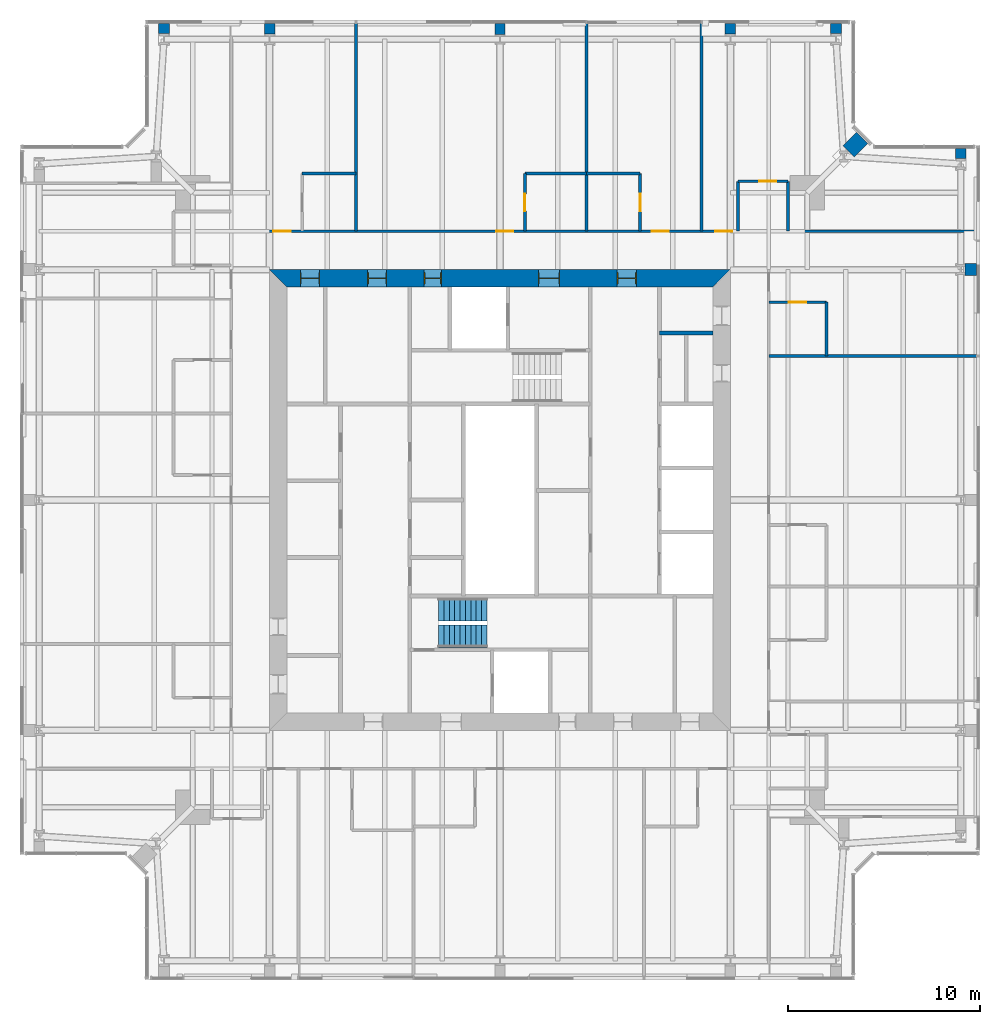
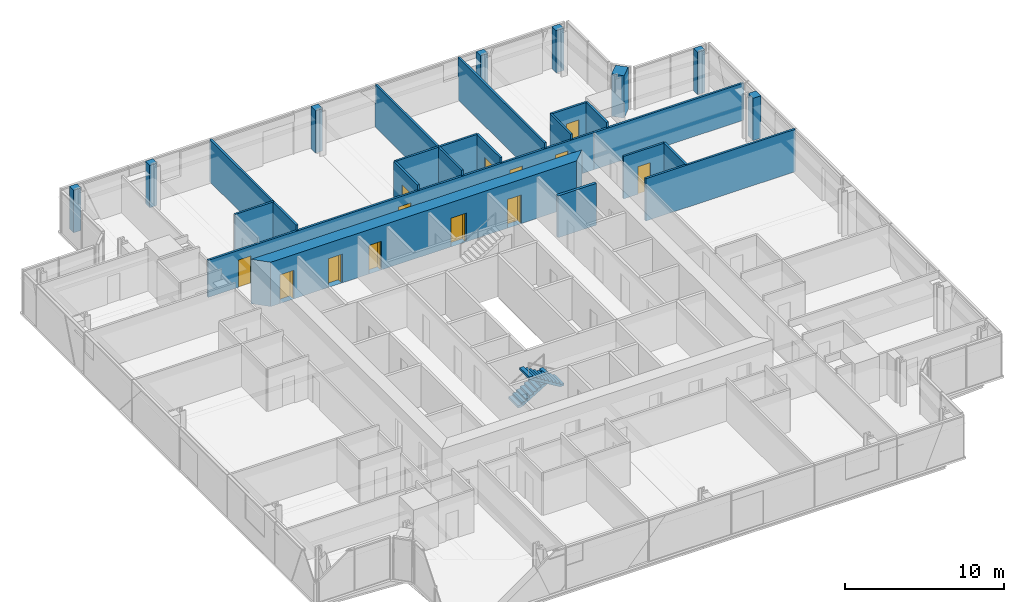
# One storey, part 15 of 19: 26 walls, 13 doors, 2 stair flights, 13 openings, 1 element without a shape of its own.
"""IFC4 building model written with IfcOpenShell, lengths in metres."""

from ifc_helpers import new_model, si_unit, direction, frame, frame_2d, origin, place, context, subcontext, project, spatial, polyline, rectangle, outline, extrude, material, layer, layer_set, type_object, element, fill, aggregate, save


model = new_model("IFC4")

# Units and contexts
model_context = context("Model", 3, precision=1e-05, world=origin(), true_north=direction((0.0, 1.0)))
body_context = subcontext(model_context, "Body", "Model", "MODEL_VIEW")
ifc_project = project(units=[si_unit("LENGTHUNIT", "METRE"), si_unit("AREAUNIT", "SQUARE_METRE"), si_unit("VOLUMEUNIT", "CUBIC_METRE"), si_unit("PLANEANGLEUNIT", "RADIAN"), si_unit("MASSUNIT", "GRAM", prefix="KILO")], contexts=[model_context])

# Site, building, storey
site_placement = place(None, origin())
site = spatial("IfcSite", under=ifc_project, at=site_placement, CompositionType="ELEMENT")
building_placement = place(site_placement, origin())
building = spatial("IfcBuilding", under=site, at=building_placement, Name="Fenwick Lantern Interchange", CompositionType="ELEMENT")
storey_placement = place(building_placement, frame((0.0, 0.0, 273.0)))
storey = spatial("IfcBuildingStorey", under=building, at=storey_placement, Name="L65", CompositionType="ELEMENT", Elevation=273.0)

# Walls
ifc_material_1 = material(Name="Fire-rated gypsum board encasement on steel studs, 2 hour", Category="steel")
ifc_layer_1 = layer(ifc_material_1, 0.52392578125)
ifc_layer_set_1 = layer_set([ifc_layer_1], Name="COLUMN PIER 524")
wall_type_1 = type_object("IfcWallType", Name="COLUMN PIER 524", PredefinedType="PARTITIONING", material=ifc_layer_set_1)
wall_1_placement = place(storey_placement, frame((25.0, 49.81005859375, 0.0), z_axis=(0.0, 0.0, 1.0), x_axis=(0.0, -1.0, 0.0)))
element("IfcWall", 1, at=wall_1_placement, inside=storey, type_object=wall_type_1, Name="L65/W/PIER/CN3", PredefinedType="PARTITIONING", context=body_context, shape_type="SweptSolid", body=[
    extrude(rectangle(XDim=0.572509765625, YDim=0.52392578125, at=frame_2d((0.2861328125, 0.0))), origin(), (0.0, 0.0, 1.0), 3.25),
])
ifc_layer_2 = layer(ifc_material_1, 0.5419921875)
ifc_layer_set_2 = layer_set([ifc_layer_2], Name="COLUMN PIER 542")
wall_type_2 = type_object("IfcWallType", Name="COLUMN PIER 542", PredefinedType="PARTITIONING", material=ifc_layer_set_2)
for number, where, z_axis, x_axis, name in (
    (2, (37.0, 49.81005859375, 0.0), (0.0, 0.0, 1.0), (0.0, -1.0, 0.0), "L65/W/PIER/CN2"),
    (3, (13.0, 49.81005859375, 0.0), (0.0, 0.0, 1.0), (0.0, -1.0, 0.0), "L65/W/PIER/CN4"),
):
    element("IfcWall", number, at=place(storey_placement, frame(where, z_axis=z_axis, x_axis=x_axis)), inside=storey, type_object=wall_type_2, Name=name, PredefinedType="PARTITIONING", context=body_context, shape_type="SweptSolid", body=[
        extrude(rectangle(XDim=0.544677734375, YDim=0.5419921875, at=frame_2d((0.2724609375, 0.0))), origin(), (0.0, 0.0, 1.0), 3.25),
    ])
ifc_layer_3 = layer(ifc_material_1, 0.554931640625)
ifc_layer_set_3 = layer_set([ifc_layer_3], Name="COLUMN PIER 555")
wall_type_3 = type_object("IfcWallType", Name="COLUMN PIER 555", PredefinedType="PARTITIONING", material=ifc_layer_set_3)
for number, where, z_axis, x_axis, name in (
    (4, (49.0, 43.31005859375, 0.0), (0.0, 0.0, 1.0), (0.0, -1.0, 0.0), "L65/W/PIER/CE5"),
    (5, (42.5, 49.81005859375, 0.0), (0.0, 0.0, 1.0), (0.0, -1.0, 0.0), "L65/W/PIER/CN1"),
    (6, (7.5, 49.81005859375, 0.0), (0.0, 0.0, 1.0), (0.0, -1.0, 0.0), "L65/W/PIER/CN5"),
):
    element("IfcWall", number, at=place(storey_placement, frame(where, z_axis=z_axis, x_axis=x_axis)), inside=storey, type_object=wall_type_3, Name=name, PredefinedType="PARTITIONING", context=body_context, shape_type="SweptSolid", body=[
        extrude(rectangle(XDim=0.525634765625, YDim=0.554931640625, at=frame_2d((0.2626953125, 0.0))), origin(), (0.0, 0.0, 1.0), 3.25),
    ])
ifc_layer_4 = layer(ifc_material_1, 0.631103515625)
ifc_layer_set_4 = layer_set([ifc_layer_4], Name="COLUMN PIER 631")
wall_type_4 = type_object("IfcWallType", Name="COLUMN PIER 631", PredefinedType="PARTITIONING", material=ifc_layer_set_4)
wall_2_placement = place(storey_placement, frame((49.81005859375, 37.0, 0.0), z_axis=(0.0, 0.0, 1.0), x_axis=(-1.0, 0.0, 0.0)))
element("IfcWall", 7, at=wall_2_placement, inside=storey, type_object=wall_type_4, Name="L65/W/PIER/CE4", PredefinedType="PARTITIONING", context=body_context, shape_type="SweptSolid", body=[
    extrude(rectangle(XDim=0.589111328125, YDim=0.631103515625, at=frame_2d((0.29443359375, 0.0))), origin(), (0.0, 0.0, 1.0), 3.25),
])
ifc_layer_5 = layer(ifc_material_1, 0.823974609375)
ifc_layer_set_5 = layer_set([ifc_layer_5], Name="COLUMN PIER 824")
wall_type_5 = type_object("IfcWallType", Name="COLUMN PIER 824", PredefinedType="PARTITIONING", material=ifc_layer_set_5)
wall_3_placement = place(storey_placement, frame((43.86572265625, 43.86572265625, 0.0), z_axis=(0.0, 0.0, 1.0), x_axis=(-0.707106781187, -0.707106781187, 0.0)))
element("IfcWall", 8, at=wall_3_placement, inside=storey, type_object=wall_type_5, Name="L65/W/PIER/CER", PredefinedType="PARTITIONING", context=body_context, shape_type="SweptSolid", body=[
    extrude(rectangle(XDim=1.003662109375, YDim=0.823974609375, at=frame_2d((0.501953125, 0.0))), origin(), (0.0, 0.0, 1.0), 3.25),
])
ifc_material_2 = material(Name="Concrete masonry ASTM C90 Grade N", Category="masonry")
ifc_layer_6 = layer(ifc_material_2, 0.199951171875)
ifc_layer_set_6 = layer_set([ifc_layer_6], Name="Concrete masonry ASTM C90 Grade N")
wall_type_6 = type_object("IfcWallType", Name="CORE PARTITION 200", PredefinedType="PARTITIONING", material=ifc_layer_set_6)
wall_4_placement = place(storey_placement, frame((36.10009765625, 33.699951171875, 0.0), z_axis=(0.0, 0.0, 1.0), x_axis=(-1.0, 0.0, 0.0)))
element("IfcWall", 9, at=wall_4_placement, inside=storey, type_object=wall_type_6, Name="L65/W/COREN/p1", PredefinedType="PARTITIONING", context=body_context, shape_type="SweptSolid", body=[
    extrude(rectangle(XDim=2.800048828125, YDim=0.199951171875, at=frame_2d((1.39990234375, 0.0))), origin(), (0.0, 0.0, 1.0), 3.199951171875),
])

# Wall, openings, doors
ifc_material_3 = material(Name="Concrete f'c 70 MPa", Category="concrete")
ifc_layer_7 = layer(ifc_material_3, 0.89990234375)
ifc_layer_set_7 = layer_set([ifc_layer_7], Name="CORE WALL 900")
wall_type_7 = type_object("IfcWallType", Name="CORE WALL 900", PredefinedType="SHEAR", material=ifc_layer_set_7)
wall_5_placement = place(storey_placement, frame((37.0, 36.550048828125, 0.0), z_axis=(0.0, 0.0, 1.0), x_axis=(-1.0, 0.0, 0.0)))
wall_5 = element("IfcWall", 10, at=wall_5_placement, inside=storey, type_object=wall_type_7, Name="L65/CORE/N", PredefinedType="SHEAR", context=body_context, shape_type="SweptSolid", body=[
    extrude(outline(polyline([(0.0, -0.449951171875), (24.0, -0.449951171875), (23.10009765625, 0.449951171875), (0.89990234375, 0.449951171875), (0.0, -0.449951171875)])), origin(), (0.0, 0.0, 1.0), 3.39990234375),
])
opening_1_placement = place(wall_5_placement, frame((4.89990234375, 0.0, 0.0)))
opening_1 = element("IfcOpeningElement", 11, at=opening_1_placement, cuts=wall_5, Name="Opening L65-D014", PredefinedType="OPENING", context=body_context, shape_type="SweptSolid", body=[
    extrude(rectangle(XDim=1.0, YDim=2.199951171875, at=frame_2d((0.5, 1.10009765625))), frame((0.0, 0.4599609375, 0.0), z_axis=(0.0, -1.0, 0.0), x_axis=(1.0, 0.0, 0.0)), (0.0, 0.0, 1.0), 0.919921875),
])
opening_2_placement = place(wall_5_placement, frame((8.89990234375, 0.0, 0.0)))
opening_2 = element("IfcOpeningElement", 12, at=opening_2_placement, cuts=wall_5, Name="Opening L65-D015", PredefinedType="OPENING", context=body_context, shape_type="SweptSolid", body=[
    extrude(rectangle(XDim=1.10009765625, YDim=2.199951171875, at=frame_2d((0.550048828125, 1.10009765625))), frame((0.0, 0.4599609375, 0.0), z_axis=(0.0, -1.0, 0.0), x_axis=(1.0, 0.0, 0.0)), (0.0, 0.0, 1.0), 0.919921875),
])
opening_3_placement = place(wall_5_placement, frame((15.050048828125, 0.0, 0.0)))
opening_3 = element("IfcOpeningElement", 13, at=opening_3_placement, cuts=wall_5, Name="Opening L65-D017", PredefinedType="OPENING", context=body_context, shape_type="SweptSolid", body=[
    extrude(rectangle(XDim=0.89990234375, YDim=2.199951171875, at=frame_2d((0.449951171875, 1.10009765625))), frame((0.0, 0.4599609375, 0.0), z_axis=(0.0, -1.0, 0.0), x_axis=(1.0, 0.0, 0.0)), (0.0, 0.0, 1.0), 0.919921875),
])
opening_4_placement = place(wall_5_placement, frame((17.89990234375, 0.0, 0.0)))
opening_4 = element("IfcOpeningElement", 14, at=opening_4_placement, cuts=wall_5, Name="Opening L65-D018", PredefinedType="OPENING", context=body_context, shape_type="SweptSolid", body=[
    extrude(rectangle(XDim=1.0, YDim=2.199951171875, at=frame_2d((0.5, 1.10009765625))), frame((0.0, 0.4599609375, 0.0), z_axis=(0.0, -1.0, 0.0), x_axis=(1.0, 0.0, 0.0)), (0.0, 0.0, 1.0), 0.919921875),
])
opening_5_placement = place(wall_5_placement, frame((21.39990234375, 0.0, 0.0)))
opening_5 = element("IfcOpeningElement", 15, at=opening_5_placement, cuts=wall_5, Name="Opening L65-D019", PredefinedType="OPENING", context=body_context, shape_type="SweptSolid", body=[
    extrude(rectangle(XDim=1.0, YDim=2.199951171875, at=frame_2d((0.5, 1.10009765625))), frame((0.0, 0.4599609375, 0.0), z_axis=(0.0, -1.0, 0.0), x_axis=(1.0, 0.0, 0.0)), (0.0, 0.0, 1.0), 0.919921875),
])
ifc_material_4 = material(Name="Steel door and frame", Category="steel")
door_type_1 = type_object("IfcDoorType", Name="CORE LOBBY DOOR 1000 X 2200", OperationType="SINGLE_SWING_LEFT", PredefinedType="DOOR", material=ifc_material_4)
door_1_placement = place(opening_1_placement, origin())
door_1 = element("IfcDoor", 16, at=door_1_placement, inside=storey, type_object=door_type_1, Name="Core lobby door", OperationType="SINGLE_SWING_LEFT", OverallHeight=2.199951171875, OverallWidth=1.0, PredefinedType="DOOR", context=body_context, shape_type="SweptSolid", body=[
    extrude(rectangle(XDim=1.0, YDim=2.199951171875, at=frame_2d((0.5, 1.10009765625))), frame((0.0, 0.02490234375, 0.0), z_axis=(0.0, -1.0, 0.0), x_axis=(1.0, 0.0, 0.0)), (0.0, 0.0, 1.0), 0.050048828125),
    extrude(outline(polyline([(0.0, 0.0), (0.0400390625, 0.0), (0.0400390625, 2.159912109375), (0.9599609375, 2.159912109375), (0.9599609375, 0.0), (1.0, 0.0), (1.0, 2.199951171875), (0.0, 2.199951171875), (0.0, 0.0)])), frame((0.0, 0.300048828125, 0.0), z_axis=(0.0, -1.0, 0.0), x_axis=(1.0, 0.0, 0.0)), (0.0, 0.0, 1.0), 0.60009765625),
])
fill(opening_1, door_1)
door_type_2 = type_object("IfcDoorType", Name="FIRE LOBBY DOOR 1100 X 2200", OperationType="SINGLE_SWING_LEFT", PredefinedType="DOOR", material=ifc_material_4)
door_2_placement = place(opening_2_placement, origin())
door_2 = element("IfcDoor", 17, at=door_2_placement, inside=storey, type_object=door_type_2, Name="Fire lobby door", OperationType="SINGLE_SWING_LEFT", OverallHeight=2.199951171875, OverallWidth=1.10009765625, PredefinedType="DOOR", context=body_context, shape_type="SweptSolid", body=[
    extrude(rectangle(XDim=1.10009765625, YDim=2.199951171875, at=frame_2d((0.550048828125, 1.10009765625))), frame((0.0, 0.02490234375, 0.0), z_axis=(0.0, -1.0, 0.0), x_axis=(1.0, 0.0, 0.0)), (0.0, 0.0, 1.0), 0.050048828125),
    extrude(outline(polyline([(0.0, 0.0), (0.0400390625, 0.0), (0.0400390625, 2.159912109375), (1.06005859375, 2.159912109375), (1.06005859375, 0.0), (1.10009765625, 0.0), (1.10009765625, 2.199951171875), (0.0, 2.199951171875), (0.0, 0.0)])), frame((0.0, 0.300048828125, 0.0), z_axis=(0.0, -1.0, 0.0), x_axis=(1.0, 0.0, 0.0)), (0.0, 0.0, 1.0), 0.60009765625),
])
fill(opening_2, door_2)
door_type_3 = type_object("IfcDoorType", Name="SERVICE DOOR 900 X 2200", OperationType="SINGLE_SWING_LEFT", PredefinedType="DOOR", material=ifc_material_4)
door_3_placement = place(opening_3_placement, origin())
door_3 = element("IfcDoor", 18, at=door_3_placement, inside=storey, type_object=door_type_3, Name="Service door", OperationType="SINGLE_SWING_LEFT", OverallHeight=2.199951171875, OverallWidth=0.89990234375, PredefinedType="DOOR", context=body_context, shape_type="SweptSolid", body=[
    extrude(rectangle(XDim=0.89990234375, YDim=2.199951171875, at=frame_2d((0.449951171875, 1.10009765625))), frame((0.0, 0.02490234375, 0.0), z_axis=(0.0, -1.0, 0.0), x_axis=(1.0, 0.0, 0.0)), (0.0, 0.0, 1.0), 0.050048828125),
    extrude(outline(polyline([(0.0, 0.0), (0.0400390625, 0.0), (0.0400390625, 2.159912109375), (0.85986328125, 2.159912109375), (0.85986328125, 0.0), (0.89990234375, 0.0), (0.89990234375, 2.199951171875), (0.0, 2.199951171875), (0.0, 0.0)])), frame((0.0, 0.300048828125, 0.0), z_axis=(0.0, -1.0, 0.0), x_axis=(1.0, 0.0, 0.0)), (0.0, 0.0, 1.0), 0.60009765625),
])
fill(opening_3, door_3)
ifc_material_5 = material(Name="Hardwood door and steel frame", Category="steel")
door_type_4 = type_object("IfcDoorType", Name="WC DOOR 1000 X 2200", OperationType="SINGLE_SWING_LEFT", PredefinedType="DOOR", material=ifc_material_5)
door_4_placement = place(opening_4_placement, origin())
door_4 = element("IfcDoor", 19, at=door_4_placement, inside=storey, type_object=door_type_4, Name="Wc door", OperationType="SINGLE_SWING_LEFT", OverallHeight=2.199951171875, OverallWidth=1.0, PredefinedType="DOOR", context=body_context, shape_type="SweptSolid", body=[
    extrude(rectangle(XDim=1.0, YDim=2.199951171875, at=frame_2d((0.5, 1.10009765625))), frame((0.0, 0.02490234375, 0.0), z_axis=(0.0, -1.0, 0.0), x_axis=(1.0, 0.0, 0.0)), (0.0, 0.0, 1.0), 0.050048828125),
    extrude(outline(polyline([(0.0, 0.0), (0.0400390625, 0.0), (0.0400390625, 2.159912109375), (0.9599609375, 2.159912109375), (0.9599609375, 0.0), (1.0, 0.0), (1.0, 2.199951171875), (0.0, 2.199951171875), (0.0, 0.0)])), frame((0.0, 0.300048828125, 0.0), z_axis=(0.0, -1.0, 0.0), x_axis=(1.0, 0.0, 0.0)), (0.0, 0.0, 1.0), 0.60009765625),
])
fill(opening_4, door_4)
door_5_placement = place(opening_5_placement, origin())
door_5 = element("IfcDoor", 20, at=door_5_placement, inside=storey, type_object=door_type_4, Name="Wc door", OperationType="SINGLE_SWING_LEFT", OverallHeight=2.199951171875, OverallWidth=1.0, PredefinedType="DOOR", context=body_context, shape_type="SweptSolid", body=[
    extrude(rectangle(XDim=1.0, YDim=2.199951171875, at=frame_2d((0.5, 1.10009765625))), frame((0.0, 0.02490234375, 0.0), z_axis=(0.0, -1.0, 0.0), x_axis=(1.0, 0.0, 0.0)), (0.0, 0.0, 1.0), 0.050048828125),
    extrude(outline(polyline([(0.0, 0.0), (0.0400390625, 0.0), (0.0400390625, 2.159912109375), (0.9599609375, 2.159912109375), (0.9599609375, 0.0), (1.0, 0.0), (1.0, 2.199951171875), (0.0, 2.199951171875), (0.0, 0.0)])), frame((0.0, 0.300048828125, 0.0), z_axis=(0.0, -1.0, 0.0), x_axis=(1.0, 0.0, 0.0)), (0.0, 0.0, 1.0), 0.60009765625),
])
fill(opening_5, door_5)

ifc_material_6 = material(Name="Gypsum board on steel studs, 1 hour", Category="steel")
ifc_layer_8 = layer(ifc_material_6, 0.14990234375)
ifc_layer_set_8 = layer_set([ifc_layer_8], Name="CORRIDOR WALL 150")
wall_type_8 = type_object("IfcWallType", Name="CORRIDOR WALL 150", PredefinedType="PARTITIONING", material=ifc_layer_set_8)
wall_6_placement = place(storey_placement, frame((39.0, 39.0, 0.0), z_axis=(0.0, 0.0, 1.0), x_axis=(-1.0, 0.0, 0.0)))
wall_6 = element("IfcWall", 21, at=wall_6_placement, inside=storey, type_object=wall_type_8, Name="L65/W/HOTEL/N/CW", PredefinedType="PARTITIONING", context=body_context, shape_type="SweptSolid", body=[
    extrude(rectangle(XDim=28.0, YDim=0.14990234375, at=frame_2d((14.0, 0.0))), origin(), (0.0, 0.0, 1.0), 2.843505859375),
])
opening_6_placement = place(wall_6_placement, frame((1.89990234375, 0.0, 0.0)))
opening_6 = element("IfcOpeningElement", 22, at=opening_6_placement, cuts=wall_6, Name="Opening L65-D042", PredefinedType="OPENING", context=body_context, shape_type="SweptSolid", body=[
    extrude(rectangle(XDim=0.89990234375, YDim=2.10009765625, at=frame_2d((0.449951171875, 1.050048828125))), frame((0.0, 0.0849609375, 0.0), z_axis=(0.0, -1.0, 0.0), x_axis=(1.0, 0.0, 0.0)), (0.0, 0.0, 1.0), 0.169921875),
])
opening_7_placement = place(wall_6_placement, frame((5.199951171875, 0.0, 0.0)))
opening_7 = element("IfcOpeningElement", 23, at=opening_7_placement, cuts=wall_6, Name="Opening L65-D045", PredefinedType="OPENING", context=body_context, shape_type="SweptSolid", body=[
    extrude(rectangle(XDim=0.89990234375, YDim=2.10009765625, at=frame_2d((0.449951171875, 1.050048828125))), frame((0.0, 0.0849609375, 0.0), z_axis=(0.0, -1.0, 0.0), x_axis=(1.0, 0.0, 0.0)), (0.0, 0.0, 1.0), 0.169921875),
])
opening_8_placement = place(wall_6_placement, frame((13.300048828125, 0.0, 0.0)))
opening_8 = element("IfcOpeningElement", 24, at=opening_8_placement, cuts=wall_6, Name="Opening L65-D047", PredefinedType="OPENING", context=body_context, shape_type="SweptSolid", body=[
    extrude(rectangle(XDim=0.89990234375, YDim=2.10009765625, at=frame_2d((0.449951171875, 1.050048828125))), frame((0.0, 0.0849609375, 0.0), z_axis=(0.0, -1.0, 0.0), x_axis=(1.0, 0.0, 0.0)), (0.0, 0.0, 1.0), 0.169921875),
])
opening_9_placement = place(wall_6_placement, frame((24.89990234375, 0.0, 0.0)))
opening_9 = element("IfcOpeningElement", 25, at=opening_9_placement, cuts=wall_6, Name="Opening L65-D049", PredefinedType="OPENING", context=body_context, shape_type="SweptSolid", body=[
    extrude(rectangle(XDim=0.89990234375, YDim=2.10009765625, at=frame_2d((0.449951171875, 1.050048828125))), frame((0.0, 0.0849609375, 0.0), z_axis=(0.0, -1.0, 0.0), x_axis=(1.0, 0.0, 0.0)), (0.0, 0.0, 1.0), 0.169921875),
])
door_type_5 = type_object("IfcDoorType", Name="GUEST ROOM DOOR 900 X 2100", OperationType="SINGLE_SWING_LEFT", PredefinedType="DOOR", material=ifc_material_4)
door_6_placement = place(opening_6_placement, frame((0.89990234375, 0.0, 0.0), z_axis=(0.0, 0.0, 1.0), x_axis=(-1.0, 0.0, 0.0)))
door_6 = element("IfcDoor", 26, at=door_6_placement, inside=storey, type_object=door_type_5, Name="Guest room door", OperationType="SINGLE_SWING_RIGHT", OverallHeight=2.10009765625, OverallWidth=0.89990234375, PredefinedType="DOOR", context=body_context, shape_type="SweptSolid", body=[
    extrude(rectangle(XDim=0.89990234375, YDim=2.10009765625, at=frame_2d((0.449951171875, 1.050048828125))), frame((0.0, 0.02490234375, 0.0), z_axis=(0.0, -1.0, 0.0), x_axis=(1.0, 0.0, 0.0)), (0.0, 0.0, 1.0), 0.050048828125),
])
fill(opening_6, door_6)
door_7_placement = place(opening_7_placement, frame((0.89990234375, 0.0, 0.0), z_axis=(0.0, 0.0, 1.0), x_axis=(-1.0, 0.0, 0.0)))
door_7 = element("IfcDoor", 27, at=door_7_placement, inside=storey, type_object=door_type_5, Name="Guest room door", OperationType="SINGLE_SWING_LEFT", OverallHeight=2.10009765625, OverallWidth=0.89990234375, PredefinedType="DOOR", context=body_context, shape_type="SweptSolid", body=[
    extrude(rectangle(XDim=0.89990234375, YDim=2.10009765625, at=frame_2d((0.449951171875, 1.050048828125))), frame((0.0, 0.02490234375, 0.0), z_axis=(0.0, -1.0, 0.0), x_axis=(1.0, 0.0, 0.0)), (0.0, 0.0, 1.0), 0.050048828125),
])
fill(opening_7, door_7)
door_8_placement = place(opening_8_placement, frame((0.89990234375, 0.0, 0.0), z_axis=(0.0, 0.0, 1.0), x_axis=(-1.0, 0.0, 0.0)))
door_8 = element("IfcDoor", 28, at=door_8_placement, inside=storey, type_object=door_type_5, Name="Guest room door", OperationType="SINGLE_SWING_RIGHT", OverallHeight=2.10009765625, OverallWidth=0.89990234375, PredefinedType="DOOR", context=body_context, shape_type="SweptSolid", body=[
    extrude(rectangle(XDim=0.89990234375, YDim=2.10009765625, at=frame_2d((0.449951171875, 1.050048828125))), frame((0.0, 0.02490234375, 0.0), z_axis=(0.0, -1.0, 0.0), x_axis=(1.0, 0.0, 0.0)), (0.0, 0.0, 1.0), 0.050048828125),
])
fill(opening_8, door_8)
door_9_placement = place(opening_9_placement, frame((0.89990234375, 0.0, 0.0), z_axis=(0.0, 0.0, 1.0), x_axis=(-1.0, 0.0, 0.0)))
door_9 = element("IfcDoor", 29, at=door_9_placement, inside=storey, type_object=door_type_5, Name="Guest room door", OperationType="SINGLE_SWING_RIGHT", OverallHeight=2.10009765625, OverallWidth=0.89990234375, PredefinedType="DOOR", context=body_context, shape_type="SweptSolid", body=[
    extrude(rectangle(XDim=0.89990234375, YDim=2.10009765625, at=frame_2d((0.449951171875, 1.050048828125))), frame((0.0, 0.02490234375, 0.0), z_axis=(0.0, -1.0, 0.0), x_axis=(1.0, 0.0, 0.0)), (0.0, 0.0, 1.0), 0.050048828125),
])
fill(opening_9, door_9)

# Wall
ifc_material_7 = material(Name="Gypsum board on steel studs, moisture resistant", Category="steel")
ifc_layer_9 = layer(ifc_material_7, 0.14990234375)
ifc_layer_set_9 = layer_set([ifc_layer_9], Name="EN-SUITE WALL 150")
wall_type_9 = type_object("IfcWallType", Name="EN-SUITE WALL 150", PredefinedType="PARTITIONING", material=ifc_layer_set_9)
wall_7_placement = place(storey_placement, frame((42.0, 32.5, 0.0), z_axis=(0.0, 0.0, 1.0), x_axis=(0.0, 1.0, 0.0)))
element("IfcWall", 30, at=wall_7_placement, inside=storey, type_object=wall_type_9, Name="L65/W/HOTEL/E/U4BW", PredefinedType="PARTITIONING", context=body_context, shape_type="SweptSolid", body=[
    extrude(rectangle(XDim=2.800048828125, YDim=0.14990234375, at=frame_2d((1.39990234375, 0.0))), origin(), (0.0, 0.0, 1.0), 3.25),
])

# Wall, opening, door
wall_8_placement = place(storey_placement, frame((42.0, 35.300048828125, 0.0), z_axis=(0.0, 0.0, 1.0), x_axis=(-1.0, 0.0, 0.0)))
wall_8 = element("IfcWall", 31, at=wall_8_placement, inside=storey, type_object=wall_type_9, Name="L65/W/HOTEL/E/U4BX", PredefinedType="PARTITIONING", context=body_context, shape_type="SweptSolid", body=[
    extrude(rectangle(XDim=3.0, YDim=0.14990234375, at=frame_2d((1.5, 0.0))), origin(), (0.0, 0.0, 1.0), 3.25),
])
opening_10_placement = place(wall_8_placement, frame((1.050048828125, 0.0, 0.0)))
opening_10 = element("IfcOpeningElement", 32, at=opening_10_placement, cuts=wall_8, Name="Opening L65-D040", PredefinedType="OPENING", context=body_context, shape_type="SweptSolid", body=[
    extrude(rectangle(XDim=0.89990234375, YDim=2.10009765625, at=frame_2d((0.449951171875, 1.050048828125))), frame((0.0, 0.0849609375, 0.0), z_axis=(0.0, -1.0, 0.0), x_axis=(1.0, 0.0, 0.0)), (0.0, 0.0, 1.0), 0.169921875),
])
door_type_6 = type_object("IfcDoorType", Name="EN-SUITE DOOR 900 X 2100", OperationType="SINGLE_SWING_LEFT", PredefinedType="DOOR", material=ifc_material_5)
door_10_placement = place(opening_10_placement, origin())
door_10 = element("IfcDoor", 33, at=door_10_placement, inside=storey, type_object=door_type_6, Name="En-suite door", OperationType="SINGLE_SWING_LEFT", OverallHeight=2.10009765625, OverallWidth=0.89990234375, PredefinedType="DOOR", context=body_context, shape_type="SweptSolid", body=[
    extrude(rectangle(XDim=0.89990234375, YDim=2.10009765625, at=frame_2d((0.449951171875, 1.050048828125))), frame((0.0, 0.02490234375, 0.0), z_axis=(0.0, -1.0, 0.0), x_axis=(1.0, 0.0, 0.0)), (0.0, 0.0, 1.0), 0.050048828125),
])
fill(opening_10, door_10)

wall_9_placement = place(storey_placement, frame((40.0, 41.60009765625, 0.0), z_axis=(0.0, 0.0, 1.0), x_axis=(-1.0, 0.0, 0.0)))
wall_9 = element("IfcWall", 34, at=wall_9_placement, inside=storey, type_object=wall_type_9, Name="L65/W/HOTEL/N/U1BW", PredefinedType="PARTITIONING", context=body_context, shape_type="SweptSolid", body=[
    extrude(rectangle(XDim=2.60009765625, YDim=0.14990234375, at=frame_2d((1.300048828125, 0.0))), origin(), (0.0, 0.0, 1.0), 3.25),
])
opening_11_placement = place(wall_9_placement, frame((0.60009765625, 0.0, 0.0)))
opening_11 = element("IfcOpeningElement", 35, at=opening_11_placement, cuts=wall_9, Name="Opening L65-D043", PredefinedType="OPENING", context=body_context, shape_type="SweptSolid", body=[
    extrude(rectangle(XDim=0.89990234375, YDim=2.10009765625, at=frame_2d((0.449951171875, 1.050048828125))), frame((0.0, 0.0849609375, 0.0), z_axis=(0.0, -1.0, 0.0), x_axis=(1.0, 0.0, 0.0)), (0.0, 0.0, 1.0), 0.169921875),
])
door_11_placement = place(opening_11_placement, origin())
door_11 = element("IfcDoor", 36, at=door_11_placement, inside=storey, type_object=door_type_6, Name="En-suite door", OperationType="SINGLE_SWING_LEFT", OverallHeight=2.10009765625, OverallWidth=0.89990234375, PredefinedType="DOOR", context=body_context, shape_type="SweptSolid", body=[
    extrude(rectangle(XDim=0.89990234375, YDim=2.10009765625, at=frame_2d((0.449951171875, 1.050048828125))), frame((0.0, 0.02490234375, 0.0), z_axis=(0.0, -1.0, 0.0), x_axis=(1.0, 0.0, 0.0)), (0.0, 0.0, 1.0), 0.050048828125),
])
fill(opening_11, door_11)

# Walls
for number, where, z_axis, x_axis, name in (
    (37, (40.0, 41.60009765625, 0.0), (0.0, 0.0, 1.0), (0.0, -1.0, 0.0), "L65/W/HOTEL/N/U1BX"),
    (38, (37.39990234375, 41.60009765625, 0.0), (0.0, 0.0, 1.0), (0.0, -1.0, 0.0), "L65/W/HOTEL/N/U1BE"),
):
    element("IfcWall", number, at=place(storey_placement, frame(where, z_axis=z_axis, x_axis=x_axis)), inside=storey, type_object=wall_type_9, Name=name, PredefinedType="PARTITIONING", context=body_context, shape_type="SweptSolid", body=[
        extrude(rectangle(XDim=2.60009765625, YDim=0.14990234375, at=frame_2d((1.300048828125, 0.0))), origin(), (0.0, 0.0, 1.0), 3.25),
    ])
wall_10_placement = place(storey_placement, frame((32.300048828125, 42.0, 0.0), z_axis=(0.0, 0.0, 1.0), x_axis=(-1.0, 0.0, 0.0)))
element("IfcWall", 39, at=wall_10_placement, inside=storey, type_object=wall_type_9, Name="L65/W/HOTEL/N/U2BW", PredefinedType="PARTITIONING", context=body_context, shape_type="SweptSolid", body=[
    extrude(rectangle(XDim=2.800048828125, YDim=0.14990234375, at=frame_2d((1.39990234375, 0.0))), origin(), (0.0, 0.0, 1.0), 3.25),
])

# Wall, opening, door
wall_11_placement = place(storey_placement, frame((32.300048828125, 42.0, 0.0), z_axis=(0.0, 0.0, 1.0), x_axis=(0.0, -1.0, 0.0)))
wall_11 = element("IfcWall", 40, at=wall_11_placement, inside=storey, type_object=wall_type_9, Name="L65/W/HOTEL/N/U2BX", PredefinedType="PARTITIONING", context=body_context, shape_type="SweptSolid", body=[
    extrude(rectangle(XDim=3.0, YDim=0.14990234375, at=frame_2d((1.5, 0.0))), origin(), (0.0, 0.0, 1.0), 3.25),
])
opening_12_placement = place(wall_11_placement, frame((1.050048828125, 0.0, 0.0)))
opening_12 = element("IfcOpeningElement", 41, at=opening_12_placement, cuts=wall_11, Name="Opening L65-D044", PredefinedType="OPENING", context=body_context, shape_type="SweptSolid", body=[
    extrude(rectangle(XDim=0.89990234375, YDim=2.10009765625, at=frame_2d((0.449951171875, 1.050048828125))), frame((0.0, 0.0849609375, 0.0), z_axis=(0.0, -1.0, 0.0), x_axis=(1.0, 0.0, 0.0)), (0.0, 0.0, 1.0), 0.169921875),
])
door_12_placement = place(opening_12_placement, frame((0.89990234375, 0.0, 0.0), z_axis=(0.0, 0.0, 1.0), x_axis=(-1.0, 0.0, 0.0)))
door_12 = element("IfcDoor", 42, at=door_12_placement, inside=storey, type_object=door_type_6, Name="En-suite door", OperationType="SINGLE_SWING_RIGHT", OverallHeight=2.10009765625, OverallWidth=0.89990234375, PredefinedType="DOOR", context=body_context, shape_type="SweptSolid", body=[
    extrude(rectangle(XDim=0.89990234375, YDim=2.10009765625, at=frame_2d((0.449951171875, 1.050048828125))), frame((0.0, 0.02490234375, 0.0), z_axis=(0.0, -1.0, 0.0), x_axis=(1.0, 0.0, 0.0)), (0.0, 0.0, 1.0), 0.050048828125),
])
fill(opening_12, door_12)

# Wall
wall_12_placement = place(storey_placement, frame((29.5, 42.0, 0.0), z_axis=(0.0, 0.0, 1.0), x_axis=(-1.0, 0.0, 0.0)))
element("IfcWall", 43, at=wall_12_placement, inside=storey, type_object=wall_type_9, Name="L65/W/HOTEL/N/U3BW", PredefinedType="PARTITIONING", context=body_context, shape_type="SweptSolid", body=[
    extrude(rectangle(XDim=3.199951171875, YDim=0.14990234375, at=frame_2d((1.60009765625, 0.0))), origin(), (0.0, 0.0, 1.0), 3.25),
])

# Wall, opening, door
wall_13_placement = place(storey_placement, frame((26.300048828125, 42.0, 0.0), z_axis=(0.0, 0.0, 1.0), x_axis=(0.0, -1.0, 0.0)))
wall_13 = element("IfcWall", 44, at=wall_13_placement, inside=storey, type_object=wall_type_9, Name="L65/W/HOTEL/N/U3BX", PredefinedType="PARTITIONING", context=body_context, shape_type="SweptSolid", body=[
    extrude(rectangle(XDim=3.0, YDim=0.14990234375, at=frame_2d((1.5, 0.0))), origin(), (0.0, 0.0, 1.0), 3.25),
])
opening_13_placement = place(wall_13_placement, frame((1.050048828125, 0.0, 0.0)))
opening_13 = element("IfcOpeningElement", 45, at=opening_13_placement, cuts=wall_13, Name="Opening L65-D046", PredefinedType="OPENING", context=body_context, shape_type="SweptSolid", body=[
    extrude(rectangle(XDim=0.89990234375, YDim=2.10009765625, at=frame_2d((0.449951171875, 1.050048828125))), frame((0.0, 0.0849609375, 0.0), z_axis=(0.0, -1.0, 0.0), x_axis=(1.0, 0.0, 0.0)), (0.0, 0.0, 1.0), 0.169921875),
])
door_13_placement = place(opening_13_placement, origin())
door_13 = element("IfcDoor", 46, at=door_13_placement, inside=storey, type_object=door_type_6, Name="En-suite door", OperationType="SINGLE_SWING_LEFT", OverallHeight=2.10009765625, OverallWidth=0.89990234375, PredefinedType="DOOR", context=body_context, shape_type="SweptSolid", body=[
    extrude(rectangle(XDim=0.89990234375, YDim=2.10009765625, at=frame_2d((0.449951171875, 1.050048828125))), frame((0.0, 0.02490234375, 0.0), z_axis=(0.0, -1.0, 0.0), x_axis=(1.0, 0.0, 0.0)), (0.0, 0.0, 1.0), 0.050048828125),
])
fill(opening_13, door_13)

# Walls
wall_14_placement = place(storey_placement, frame((17.5, 42.0, 0.0), z_axis=(0.0, 0.0, 1.0), x_axis=(-1.0, 0.0, 0.0)))
element("IfcWall", 47, at=wall_14_placement, inside=storey, type_object=wall_type_9, Name="L65/W/HOTEL/N/U4BW", PredefinedType="PARTITIONING", context=body_context, shape_type="SweptSolid", body=[
    extrude(rectangle(XDim=2.800048828125, YDim=0.14990234375, at=frame_2d((1.39990234375, 0.0))), origin(), (0.0, 0.0, 1.0), 3.25),
])
ifc_material_8 = material(Name="Gypsum board on steel studs, 1 hour acoustic", Category="steel")
ifc_layer_10 = layer(ifc_material_8, 0.14990234375)
ifc_layer_set_10 = layer_set([ifc_layer_10], Name="PARTY WALL 150")
wall_type_10 = type_object("IfcWallType", Name="PARTY WALL 150", PredefinedType="PARTITIONING", material=ifc_layer_set_10)
wall_15_placement = place(storey_placement, frame((49.85009765625, 32.5, 0.0), z_axis=(0.0, 0.0, 1.0), x_axis=(-1.0, 0.0, 0.0)))
element("IfcWall", 48, at=wall_15_placement, inside=storey, type_object=wall_type_10, Name="L65/W/HOTEL/E/U4PW", PredefinedType="PARTITIONING", context=body_context, shape_type="SweptSolid", body=[
    extrude(rectangle(XDim=10.85009765625, YDim=0.14990234375, at=frame_2d((5.425048828125, 0.0))), origin(), (0.0, 0.0, 1.0), 3.25),
])
wall_16_placement = place(storey_placement, frame((49.85009765625, 39.0, 0.0), z_axis=(0.0, 0.0, 1.0), x_axis=(-1.0, 0.0, 0.0)))
element("IfcWall", 49, at=wall_16_placement, inside=storey, type_object=wall_type_10, Name="L65/W/HOTEL/N/SW3", PredefinedType="PARTITIONING", context=body_context, shape_type="SweptSolid", body=[
    extrude(rectangle(XDim=10.85009765625, YDim=0.14990234375, at=frame_2d((5.425048828125, 0.0))), origin(), (0.0, 0.0, 1.0), 2.843505859375),
])
for number, where, z_axis, x_axis, name in (
    (50, (35.5, 49.85009765625, 0.0), (0.0, 0.0, 1.0), (0.0, -1.0, 0.0), "L65/W/HOTEL/N/U2PW"),
    (51, (29.5, 49.85009765625, 0.0), (0.0, 0.0, 1.0), (0.0, -1.0, 0.0), "L65/W/HOTEL/N/U3PW"),
    (52, (17.5, 49.85009765625, 0.0), (0.0, 0.0, 1.0), (0.0, -1.0, 0.0), "L65/W/HOTEL/N/U4PW"),
):
    element("IfcWall", number, at=place(storey_placement, frame(where, z_axis=z_axis, x_axis=x_axis)), inside=storey, type_object=wall_type_10, Name=name, PredefinedType="PARTITIONING", context=body_context, shape_type="SweptSolid", body=[
        extrude(rectangle(XDim=10.85009765625, YDim=0.14990234375, at=frame_2d((5.425048828125, 0.0))), origin(), (0.0, 0.0, 1.0), 3.25),
    ])

# Stair, stair flights
ifc_material_9 = material(Name="Precast concrete f'c 35 MPa", Category="concrete")
stair_type = type_object("IfcStairType", Name="EXIT STAIR 1200", PredefinedType="HALF_TURN_STAIR", material=ifc_material_9)
stair_placement = place(storey_placement, origin())
stair = element("IfcStair", 53, at=stair_placement, inside=storey, type_object=stair_type, Name="Exit stair ST1", PredefinedType="HALF_TURN_STAIR")
stair_flight_type = type_object("IfcStairFlightType", Name="STAIR FLIGHT 1200", PredefinedType="STRAIGHT", material=ifc_material_9)
stair_flight_1_placement = place(storey_placement, frame((21.800048828125, 19.300048828125, 0.0), z_axis=(0.0, 0.0, 1.0), x_axis=(1.0, 0.0, 0.0)))
stair_flight_1 = element("IfcStairFlight", 54, at=stair_flight_1_placement, type_object=stair_flight_type, Name="ST1 flight 1", NumberOfRisers=10, NumberOfTreads=9, PredefinedType="STRAIGHT", RiserHeight=0.17, TreadLength=0.28, context=body_context, shape_type="SweptSolid", body=[
    extrude(outline(polyline([(0.0, 0.0), (0.0, 0.169921875), (0.280029296875, 0.169921875), (0.280029296875, 0.340087890625), (0.56005859375, 0.340087890625), (0.56005859375, 0.510009765625), (0.840087890625, 0.510009765625), (0.840087890625, 0.679931640625), (1.1201171875, 0.679931640625), (1.1201171875, 0.85009765625), (1.39990234375, 0.85009765625), (1.39990234375, 1.02001953125), (1.679931640625, 1.02001953125), (1.679931640625, 1.18994140625), (1.9599609375, 1.18994140625), (1.9599609375, 1.360107421875), (2.239990234375, 1.360107421875), (2.239990234375, 1.530029296875), (2.52001953125, 1.530029296875), (2.52001953125, 1.699951171875), (2.52001953125, 1.354736328125), (0.288818359375, 0.0), (0.0, 0.0)])), frame((0.0, 0.60009765625, 0.0), z_axis=(0.0, -1.0, 0.0), x_axis=(1.0, 0.0, 0.0)), (0.0, 0.0, 1.0), 1.199951171875),
])
stair_flight_2_placement = place(storey_placement, frame((24.320068359375, 17.89990234375, 1.699951171875), z_axis=(0.0, 0.0, 1.0), x_axis=(-1.0, 0.0, 0.0)))
stair_flight_2 = element("IfcStairFlight", 55, at=stair_flight_2_placement, type_object=stair_flight_type, Name="ST1 flight 2", NumberOfRisers=10, NumberOfTreads=9, PredefinedType="STRAIGHT", RiserHeight=0.17, TreadLength=0.28, context=body_context, shape_type="SweptSolid", body=[
    extrude(outline(polyline([(0.0, 0.0), (0.0, 0.169921875), (0.280029296875, 0.169921875), (0.280029296875, 0.340087890625), (0.56005859375, 0.340087890625), (0.56005859375, 0.510009765625), (0.840087890625, 0.510009765625), (0.840087890625, 0.679931640625), (1.1201171875, 0.679931640625), (1.1201171875, 0.85009765625), (1.39990234375, 0.85009765625), (1.39990234375, 1.02001953125), (1.679931640625, 1.02001953125), (1.679931640625, 1.18994140625), (1.9599609375, 1.18994140625), (1.9599609375, 1.360107421875), (2.239990234375, 1.360107421875), (2.239990234375, 1.530029296875), (2.52001953125, 1.530029296875), (2.52001953125, 1.699951171875), (2.52001953125, 1.354736328125), (0.288818359375, 0.0), (0.0, 0.0)])), frame((0.0, 0.60009765625, 0.0), z_axis=(0.0, -1.0, 0.0), x_axis=(1.0, 0.0, 0.0)), (0.0, 0.0, 1.0), 1.199951171875),
])
aggregate(stair, [stair_flight_1, stair_flight_2])

save(model, "model.ifc")
